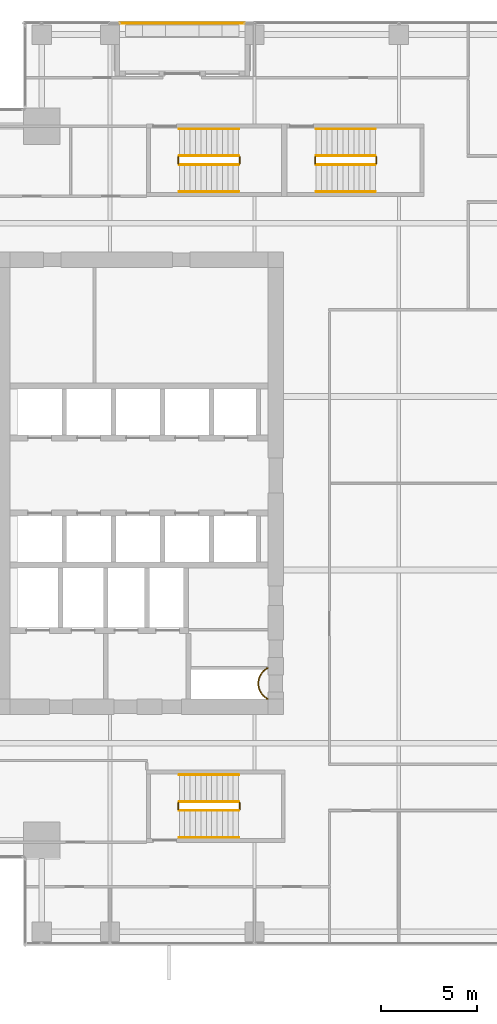
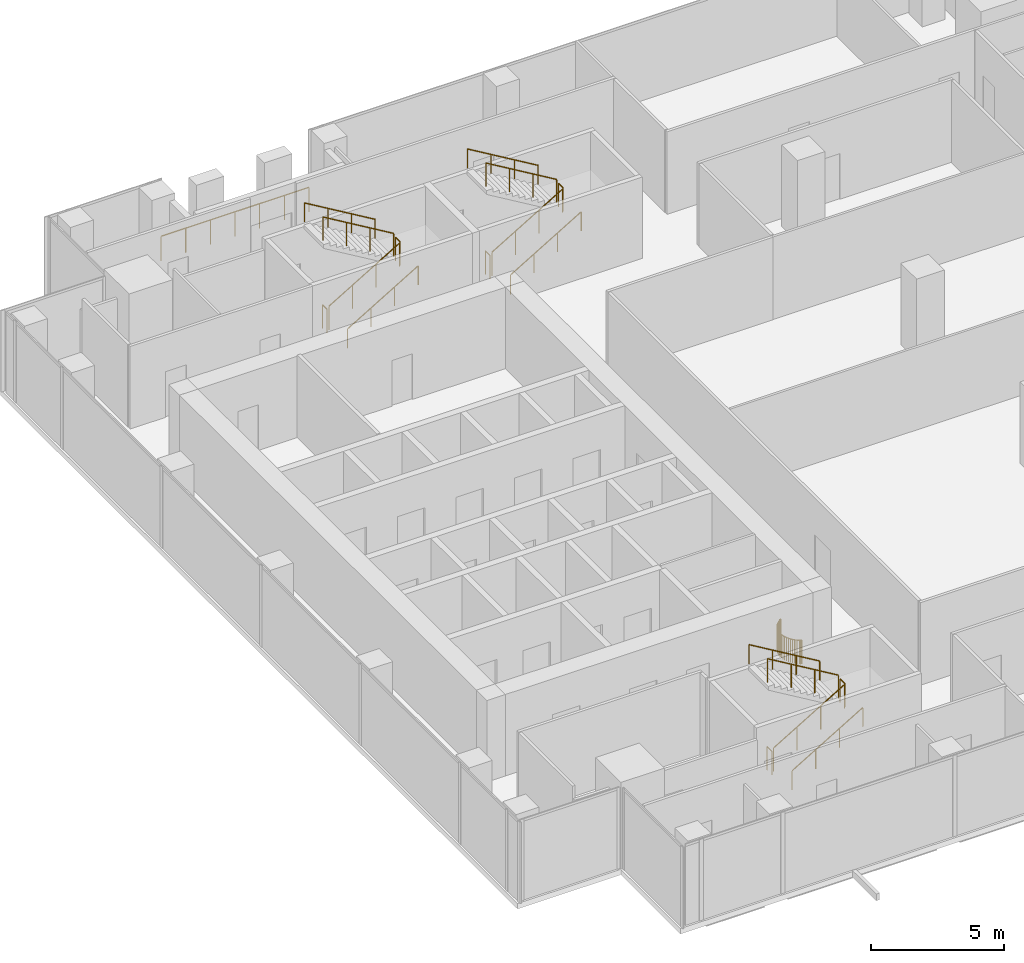
# One storey, part 38 of 40: 20 railings.
"""IFC4 building model written with IfcOpenShell, lengths in metres."""

from ifc_helpers import new_model, si_unit, direction, frame, origin, origin_2d, place, context, subcontext, project, spatial, circle, extrude, source, transform, mapped, material, type_object, element, save


model = new_model("IFC4")

# Units and contexts
model_context = context("Model", 3, precision=1e-05, world=origin(), true_north=direction((0.0, 1.0)))
body_context = subcontext(model_context, "Body", "Model", "MODEL_VIEW")
ifc_project = project(units=[si_unit("LENGTHUNIT", "METRE"), si_unit("AREAUNIT", "SQUARE_METRE"), si_unit("VOLUMEUNIT", "CUBIC_METRE"), si_unit("PLANEANGLEUNIT", "RADIAN"), si_unit("MASSUNIT", "GRAM", prefix="KILO")], contexts=[model_context])

# Site, building, storey
site_placement = place(None, origin())
site = spatial("IfcSite", under=ifc_project, at=site_placement, CompositionType="ELEMENT")
building_placement = place(site_placement, origin())
building = spatial("IfcBuilding", under=site, at=building_placement, Name="Khomas Fold Tower", CompositionType="ELEMENT")
storey_placement = place(building_placement, frame((0.0, 0.0, 192.699951171875)))
storey = spatial("IfcBuildingStorey", under=building, at=storey_placement, Name="L42", CompositionType="ELEMENT", Elevation=192.699951171875)

# Railings
ifc_material_1 = material(Name="Powder-coated steel", Category="steel")
railing_type_1 = type_object("IfcRailingType", Name="Balcony guard", PredefinedType="GUARDRAIL", material=ifc_material_1)
shared_shape_1 = source(origin(), body_context, "Body", "SweptSolid", [
    extrude(circle(Radius=0.02490234375, at=origin_2d()), frame((0.0, 0.0, 1.125), z_axis=(1.0, 0.0, 0.0), x_axis=(0.0, 1.0, 0.0)), (0.0, 0.0, 1.0), 6.43994140625),
    extrude(circle(Radius=0.02001953125, at=origin_2d()), origin(), (0.0, 0.0, 1.0), 1.099853515625),
    extrude(circle(Radius=0.02001953125, at=origin_2d()), frame((1.0732421875, 0.0, 0.0)), (0.0, 0.0, 1.0), 1.099853515625),
    extrude(circle(Radius=0.02001953125, at=origin_2d()), frame((2.146728515625, 0.0, 0.0)), (0.0, 0.0, 1.0), 1.099853515625),
    extrude(circle(Radius=0.02001953125, at=origin_2d()), frame((3.219970703125, 0.0, 0.0)), (0.0, 0.0, 1.0), 1.099853515625),
    extrude(circle(Radius=0.02001953125, at=origin_2d()), frame((4.293212890625, 0.0, 0.0)), (0.0, 0.0, 1.0), 1.099853515625),
    extrude(circle(Radius=0.02001953125, at=origin_2d()), frame((5.36669921875, 0.0, 0.0)), (0.0, 0.0, 1.0), 1.099853515625),
    extrude(circle(Radius=0.02001953125, at=origin_2d()), frame((6.43994140625, 0.0, 0.0)), (0.0, 0.0, 1.0), 1.099853515625),
])
railing_1_placement = place(storey_placement, frame((12.530029296875, 50.89990234375, -0.044921875)))
element("IfcRailing", 1, at=railing_1_placement, inside=storey, type_object=railing_type_1, Name="Balcony guard BAL-L42-N1", PredefinedType="GUARDRAIL", context=body_context, shape_type="MappedRepresentation", body=[
    mapped(shared_shape_1, transform((0.0, 0.0, 0.0))),
])
ifc_material_2 = material(Name="Steel balustrade", Category="steel")
railing_type_2 = type_object("IfcRailingType", Name="Stair guard", PredefinedType="GUARDRAIL", material=ifc_material_2)
shared_shape_2 = source(origin(), body_context, "Body", "SweptSolid", [
    extrude(circle(Radius=0.02392578125, at=origin_2d()), frame((0.0, 0.0, 1.076171875), z_axis=(0.0, 1.0, 0.0), x_axis=(-1.0, 0.0, 0.0)), (0.0, 0.0, 1.0), 0.349853515625),
    extrude(circle(Radius=0.02099609375, at=origin_2d()), origin(), (0.0, 0.0, 1.0), 1.052001953125),
    extrude(circle(Radius=0.02099609375, at=origin_2d()), frame((0.0, 0.349853515625, 0.0)), (0.0, 0.0, 1.0), 1.052001953125),
])
for number, where, name in (
    (2, (18.72998046875, 43.60009765625, 2.0), "L42 ST1 stair guard 2"),
    (3, (15.550048828125, 43.60009765625, 0.0), "L42 ST1 stair guard 4"),
    (4, (18.72998046875, 10.050048828125, 2.0), "L42 ST2 stair guard 2"),
    (5, (15.550048828125, 10.050048828125, 0.0), "L42 ST2 stair guard 4"),
    (6, (25.830078125, 43.60009765625, 2.0), "L42 ST3 stair guard 2"),
    (7, (22.64990234375, 43.60009765625, 0.0), "L42 ST3 stair guard 4"),
):
    element("IfcRailing", number, at=place(storey_placement, frame(where)), inside=storey, type_object=railing_type_2, Name=name, PredefinedType="GUARDRAIL", context=body_context, shape_type="MappedRepresentation", body=[
        mapped(shared_shape_2, transform((0.0, 0.0, 0.0))),
    ])
shared_shape_3 = source(origin(), body_context, "Body", "SweptSolid", [
    extrude(circle(Radius=0.02392578125, at=origin_2d()), frame((0.0, 0.0, 1.076171875), z_axis=(0.859290745958, 0.0, 0.51148745235), x_axis=(0.0, 1.0, 0.0)), (0.0, 0.0, 1.0), 3.584228515625),
    extrude(circle(Radius=0.02099609375, at=origin_2d()), origin(), (0.0, 0.0, 1.0), 1.052001953125),
    extrude(circle(Radius=0.02099609375, at=origin_2d()), frame((1.026611328125, 0.0, 0.611083984375)), (0.0, 0.0, 1.0), 1.052001953125),
    extrude(circle(Radius=0.02099609375, at=origin_2d()), frame((2.05322265625, 0.0, 1.22216796875)), (0.0, 0.0, 1.0), 1.052001953125),
    extrude(circle(Radius=0.02099609375, at=origin_2d()), frame((3.079833984375, 0.0, 1.833251953125)), (0.0, 0.0, 1.0), 1.052001953125),
])
for number, where, name in (
    (8, (15.60009765625, 43.550048828125, 0.166748046875), "L42 ST1 stair guard 1"),
    (9, (15.60009765625, 10.0, 0.166748046875), "L42 ST2 stair guard 1"),
):
    element("IfcRailing", number, at=place(storey_placement, frame(where)), inside=storey, type_object=railing_type_2, Name=name, PredefinedType="GUARDRAIL", context=body_context, shape_type="MappedRepresentation", body=[
        mapped(shared_shape_3, transform((0.0, 0.0, 0.0))),
    ])
shared_shape_4 = source(origin(), body_context, "Body", "SweptSolid", [
    extrude(circle(Radius=0.02392578125, at=origin_2d()), frame((0.0, 0.0, 1.076171875), z_axis=(-0.859290745958, 0.0, 0.51148745235), x_axis=(0.0, -1.0, 0.0)), (0.0, 0.0, 1.0), 3.584228515625),
    extrude(circle(Radius=0.02099609375, at=origin_2d()), origin(), (0.0, 0.0, 1.0), 1.052001953125),
    extrude(circle(Radius=0.02099609375, at=origin_2d()), frame((-1.026611328125, 0.0, 0.611083984375)), (0.0, 0.0, 1.0), 1.052001953125),
    extrude(circle(Radius=0.02099609375, at=origin_2d()), frame((-2.05322265625, 0.0, 1.22216796875)), (0.0, 0.0, 1.0), 1.052001953125),
    extrude(circle(Radius=0.02099609375, at=origin_2d()), frame((-3.079833984375, 0.0, 1.833251953125)), (0.0, 0.0, 1.0), 1.052001953125),
])
for number, where, name in (
    (10, (18.679931640625, 44.0, 2.166748046875), "L42 ST1 stair guard 3"),
    (11, (18.679931640625, 10.449951171875, 2.166748046875), "L42 ST2 stair guard 3"),
):
    element("IfcRailing", number, at=place(storey_placement, frame(where)), inside=storey, type_object=railing_type_2, Name=name, PredefinedType="GUARDRAIL", context=body_context, shape_type="MappedRepresentation", body=[
        mapped(shared_shape_4, transform((0.0, 0.0, 0.0))),
    ])
ifc_material_3 = material(Name="Steel handrail", Category="steel")
railing_type_3 = type_object("IfcRailingType", Name="Stair handrail", PredefinedType="HANDRAIL", material=ifc_material_3)
shared_shape_5 = source(origin(), body_context, "Body", "SweptSolid", [
    extrude(circle(Radius=0.02392578125, at=origin_2d()), frame((0.0, 0.0, 0.8759765625), z_axis=(0.859290745958, 0.0, 0.51148745235), x_axis=(0.0, 1.0, 0.0)), (0.0, 0.0, 1.0), 3.584228515625),
    extrude(circle(Radius=0.02099609375, at=origin_2d()), origin(), (0.0, 0.0, 1.0), 0.851806640625),
    extrude(circle(Radius=0.02099609375, at=origin_2d()), frame((1.026611328125, 0.0, 0.611083984375)), (0.0, 0.0, 1.0), 0.851806640625),
    extrude(circle(Radius=0.02099609375, at=origin_2d()), frame((2.05322265625, 0.0, 1.22216796875)), (0.0, 0.0, 1.0), 0.851806640625),
    extrude(circle(Radius=0.02099609375, at=origin_2d()), frame((3.079833984375, 0.0, 1.833251953125)), (0.0, 0.0, 1.0), 0.851806640625),
])
for number, where, name in (
    (12, (15.60009765625, 42.14990234375, 0.166748046875), "L42 ST1 stair handrail 1"),
    (13, (15.60009765625, 8.60009765625, 0.166748046875), "L42 ST2 stair handrail 1"),
):
    element("IfcRailing", number, at=place(storey_placement, frame(where)), inside=storey, type_object=railing_type_3, Name=name, PredefinedType="HANDRAIL", context=body_context, shape_type="MappedRepresentation", body=[
        mapped(shared_shape_5, transform((0.0, 0.0, 0.0))),
    ])
shared_shape_6 = source(origin(), body_context, "Body", "SweptSolid", [
    extrude(circle(Radius=0.02392578125, at=origin_2d()), frame((0.0, 0.0, 0.8759765625), z_axis=(-0.859290745958, 0.0, 0.51148745235), x_axis=(0.0, -1.0, 0.0)), (0.0, 0.0, 1.0), 3.584228515625),
    extrude(circle(Radius=0.02099609375, at=origin_2d()), origin(), (0.0, 0.0, 1.0), 0.851806640625),
    extrude(circle(Radius=0.02099609375, at=origin_2d()), frame((-1.026611328125, 0.0, 0.611083984375)), (0.0, 0.0, 1.0), 0.851806640625),
    extrude(circle(Radius=0.02099609375, at=origin_2d()), frame((-2.05322265625, 0.0, 1.22216796875)), (0.0, 0.0, 1.0), 0.851806640625),
    extrude(circle(Radius=0.02099609375, at=origin_2d()), frame((-3.079833984375, 0.0, 1.833251953125)), (0.0, 0.0, 1.0), 0.851806640625),
])
for number, where, name in (
    (14, (18.679931640625, 45.39990234375, 2.166748046875), "L42 ST1 stair handrail 2"),
    (15, (18.679931640625, 11.85009765625, 2.166748046875), "L42 ST2 stair handrail 2"),
):
    element("IfcRailing", number, at=place(storey_placement, frame(where)), inside=storey, type_object=railing_type_3, Name=name, PredefinedType="HANDRAIL", context=body_context, shape_type="MappedRepresentation", body=[
        mapped(shared_shape_6, transform((0.0, 0.0, 0.0))),
    ])
shared_shape_7 = source(origin(), body_context, "Body", "SweptSolid", [
    extrude(circle(Radius=0.02392578125, at=origin_2d()), frame((0.0, 0.0, 1.076171875), z_axis=(0.859308565015, 0.0, 0.511457515432), x_axis=(0.0, 1.0, 0.0)), (0.0, 0.0, 1.0), 3.58447265625),
    extrude(circle(Radius=0.02099609375, at=origin_2d()), origin(), (0.0, 0.0, 1.0), 1.052001953125),
    extrude(circle(Radius=0.02099609375, at=origin_2d()), frame((1.026611328125, 0.0, 0.611083984375)), (0.0, 0.0, 1.0), 1.052001953125),
    extrude(circle(Radius=0.02099609375, at=origin_2d()), frame((2.053466796875, 0.0, 1.22216796875)), (0.0, 0.0, 1.0), 1.052001953125),
    extrude(circle(Radius=0.02099609375, at=origin_2d()), frame((3.080078125, 0.0, 1.833251953125)), (0.0, 0.0, 1.0), 1.052001953125),
])
railing_2_placement = place(storey_placement, frame((22.699951171875, 43.550048828125, 0.166748046875)))
element("IfcRailing", 16, at=railing_2_placement, inside=storey, type_object=railing_type_2, Name="L42 ST3 stair guard 1", PredefinedType="GUARDRAIL", context=body_context, shape_type="MappedRepresentation", body=[
    mapped(shared_shape_7, transform((0.0, 0.0, 0.0))),
])
shared_shape_8 = source(origin(), body_context, "Body", "SweptSolid", [
    extrude(circle(Radius=0.02392578125, at=origin_2d()), frame((0.0, 0.0, 1.076171875), z_axis=(-0.859308565015, 0.0, 0.511457515432), x_axis=(0.0, -1.0, 0.0)), (0.0, 0.0, 1.0), 3.58447265625),
    extrude(circle(Radius=0.02099609375, at=origin_2d()), origin(), (0.0, 0.0, 1.0), 1.052001953125),
    extrude(circle(Radius=0.02099609375, at=origin_2d()), frame((-1.026611328125, 0.0, 0.611083984375)), (0.0, 0.0, 1.0), 1.052001953125),
    extrude(circle(Radius=0.02099609375, at=origin_2d()), frame((-2.053466796875, 0.0, 1.22216796875)), (0.0, 0.0, 1.0), 1.052001953125),
    extrude(circle(Radius=0.02099609375, at=origin_2d()), frame((-3.080078125, 0.0, 1.833251953125)), (0.0, 0.0, 1.0), 1.052001953125),
])
railing_3_placement = place(storey_placement, frame((25.780029296875, 44.0, 2.166748046875)))
element("IfcRailing", 17, at=railing_3_placement, inside=storey, type_object=railing_type_2, Name="L42 ST3 stair guard 3", PredefinedType="GUARDRAIL", context=body_context, shape_type="MappedRepresentation", body=[
    mapped(shared_shape_8, transform((0.0, 0.0, 0.0))),
])
shared_shape_9 = source(origin(), body_context, "Body", "SweptSolid", [
    extrude(circle(Radius=0.02392578125, at=origin_2d()), frame((0.0, 0.0, 0.8759765625), z_axis=(0.859308565015, 0.0, 0.511457515432), x_axis=(0.0, 1.0, 0.0)), (0.0, 0.0, 1.0), 3.58447265625),
    extrude(circle(Radius=0.02099609375, at=origin_2d()), origin(), (0.0, 0.0, 1.0), 0.851806640625),
    extrude(circle(Radius=0.02099609375, at=origin_2d()), frame((1.026611328125, 0.0, 0.611083984375)), (0.0, 0.0, 1.0), 0.851806640625),
    extrude(circle(Radius=0.02099609375, at=origin_2d()), frame((2.053466796875, 0.0, 1.22216796875)), (0.0, 0.0, 1.0), 0.851806640625),
    extrude(circle(Radius=0.02099609375, at=origin_2d()), frame((3.080078125, 0.0, 1.833251953125)), (0.0, 0.0, 1.0), 0.851806640625),
])
railing_4_placement = place(storey_placement, frame((22.699951171875, 42.14990234375, 0.166748046875)))
element("IfcRailing", 18, at=railing_4_placement, inside=storey, type_object=railing_type_3, Name="L42 ST3 stair handrail 1", PredefinedType="HANDRAIL", context=body_context, shape_type="MappedRepresentation", body=[
    mapped(shared_shape_9, transform((0.0, 0.0, 0.0))),
])
shared_shape_10 = source(origin(), body_context, "Body", "SweptSolid", [
    extrude(circle(Radius=0.02392578125, at=origin_2d()), frame((0.0, 0.0, 0.8759765625), z_axis=(-0.859308565015, 0.0, 0.511457515432), x_axis=(0.0, -1.0, 0.0)), (0.0, 0.0, 1.0), 3.58447265625),
    extrude(circle(Radius=0.02099609375, at=origin_2d()), origin(), (0.0, 0.0, 1.0), 0.851806640625),
    extrude(circle(Radius=0.02099609375, at=origin_2d()), frame((-1.026611328125, 0.0, 0.611083984375)), (0.0, 0.0, 1.0), 0.851806640625),
    extrude(circle(Radius=0.02099609375, at=origin_2d()), frame((-2.053466796875, 0.0, 1.22216796875)), (0.0, 0.0, 1.0), 0.851806640625),
    extrude(circle(Radius=0.02099609375, at=origin_2d()), frame((-3.080078125, 0.0, 1.833251953125)), (0.0, 0.0, 1.0), 0.851806640625),
])
railing_5_placement = place(storey_placement, frame((25.780029296875, 45.39990234375, 2.166748046875)))
element("IfcRailing", 19, at=railing_5_placement, inside=storey, type_object=railing_type_3, Name="L42 ST3 stair handrail 2", PredefinedType="HANDRAIL", context=body_context, shape_type="MappedRepresentation", body=[
    mapped(shared_shape_10, transform((0.0, 0.0, 0.0))),
])
ifc_material_4 = material(Name="Steel balustrade", Category="steel")
railing_type_4 = type_object("IfcRailingType", Name="Shaft guard", PredefinedType="GUARDRAIL", material=ifc_material_4)
shared_shape_11 = source(origin(), body_context, "Body", "SweptSolid", [
    extrude(circle(Radius=0.02490234375, at=origin_2d()), frame((0.0, 0.0, 1.0751953125), z_axis=(1.0, 0.0, 0.0), x_axis=(0.0, 1.0, 0.0)), (0.0, 0.0, 1.0), 0.06103515625),
    extrude(circle(Radius=0.02490234375, at=origin_2d()), frame((0.06103515625, 0.0, 1.0751953125), z_axis=(-0.90746690712, -0.420123568111, 0.0), x_axis=(0.420123568111, -0.90746690712, 0.0)), (0.0, 0.0, 1.0), 0.0146484375),
    extrude(circle(Radius=0.02490234375, at=origin_2d()), frame((0.0478515625, -0.006103515625, 1.0751953125), z_axis=(-0.857492925713, -0.514495755428, 0.0), x_axis=(0.514495755428, -0.857492925713, 0.0)), (0.0, 0.0, 1.0), 0.08837890625),
    extrude(circle(Radius=0.02490234375, at=origin_2d()), frame((-0.02783203125, -0.051513671875, 1.0751953125), z_axis=(-0.802970227885, -0.596019138224, 0.0), x_axis=(0.596019138224, -0.802970227885, 0.0)), (0.0, 0.0, 1.0), 0.08837890625),
    extrude(circle(Radius=0.02490234375, at=origin_2d()), frame((-0.098876953125, -0.104248046875, 1.0751953125), z_axis=(-0.740814996175, -0.671709119666, 0.0), x_axis=(0.671709119666, -0.740814996175, 0.0)), (0.0, 0.0, 1.0), 0.08837890625),
    extrude(circle(Radius=0.02490234375, at=origin_2d()), frame((-0.164306640625, -0.16357421875, 1.0751953125), z_axis=(-0.671709119666, -0.740814996175, 0.0), x_axis=(0.740814996175, -0.671709119666, 0.0)), (0.0, 0.0, 1.0), 0.08837890625),
    extrude(circle(Radius=0.02490234375, at=origin_2d()), frame((-0.2236328125, -0.22900390625, 1.0751953125), z_axis=(-0.595558727233, -0.803311771616, 0.0), x_axis=(0.803311771616, -0.595558727233, 0.0)), (0.0, 0.0, 1.0), 0.088134765625),
    extrude(circle(Radius=0.02490234375, at=origin_2d()), frame((-0.276123046875, -0.2998046875, 1.0751953125), z_axis=(-0.514495755428, -0.857492925713, 0.0), x_axis=(0.857492925713, -0.514495755428, 0.0)), (0.0, 0.0, 1.0), 0.08837890625),
    extrude(circle(Radius=0.02490234375, at=origin_2d()), frame((-0.321533203125, -0.37548828125, 1.0751953125), z_axis=(-0.427256721383, -0.904130352346, 0.0), x_axis=(0.904130352346, -0.427256721383, 0.0)), (0.0, 0.0, 1.0), 0.088623046875),
    extrude(circle(Radius=0.02490234375, at=origin_2d()), frame((-0.359375, -0.45556640625, 1.0751953125), z_axis=(-0.337738989679, -0.941239807302, 0.0), x_axis=(0.941239807302, -0.337738989679, 0.0)), (0.0, 0.0, 1.0), 0.088134765625),
    extrude(circle(Radius=0.02490234375, at=origin_2d()), frame((-0.38916015625, -0.53857421875, 1.0751953125), z_axis=(-0.243185799972, -0.969979724887, 0.0), x_axis=(0.969979724887, -0.243185799972, 0.0)), (0.0, 0.0, 1.0), 0.08837890625),
    extrude(circle(Radius=0.02490234375, at=origin_2d()), frame((-0.41064453125, -0.624267578125, 1.0751953125), z_axis=(-0.146448518259, -0.989218293148, 0.0), x_axis=(0.989218293148, -0.146448518259, 0.0)), (0.0, 0.0, 1.0), 0.08837890625),
    extrude(circle(Radius=0.02490234375, at=origin_2d()), frame((-0.423583984375, -0.711669921875, 1.0751953125), z_axis=(-0.049799629132, -0.998759228712, 0.0), x_axis=(0.998759228712, -0.049799629132, 0.0)), (0.0, 0.0, 1.0), 0.088134765625),
    extrude(circle(Radius=0.02490234375, at=origin_2d()), frame((-0.427978515625, -0.7998046875, 1.0751953125), z_axis=(0.049662400856, -0.998766061669, 0.0), x_axis=(0.998766061669, 0.049662400856, 0.0)), (0.0, 0.0, 1.0), 0.08837890625),
    extrude(circle(Radius=0.02490234375, at=origin_2d()), frame((-0.423583984375, -0.88818359375, 1.0751953125), z_axis=(0.146448518259, -0.989218293148, 0.0), x_axis=(0.989218293148, 0.146448518259, 0.0)), (0.0, 0.0, 1.0), 0.08837890625),
    extrude(circle(Radius=0.02490234375, at=origin_2d()), frame((-0.41064453125, -0.9755859375, 1.0751953125), z_axis=(0.243185799972, -0.969979724887, 0.0), x_axis=(0.969979724887, 0.243185799972, 0.0)), (0.0, 0.0, 1.0), 0.08837890625),
    extrude(circle(Radius=0.02490234375, at=origin_2d()), frame((-0.38916015625, -1.061279296875, 1.0751953125), z_axis=(0.337738989679, -0.941239807302, 0.0), x_axis=(0.941239807302, 0.337738989679, 0.0)), (0.0, 0.0, 1.0), 0.088134765625),
    extrude(circle(Radius=0.02490234375, at=origin_2d()), frame((-0.359375, -1.144287109375, 1.0751953125), z_axis=(0.428323905606, -0.903625271828, 0.0), x_axis=(0.903625271828, 0.428323905606, 0.0)), (0.0, 0.0, 1.0), 0.08837890625),
    extrude(circle(Radius=0.02490234375, at=origin_2d()), frame((-0.321533203125, -1.22412109375, 1.0751953125), z_axis=(0.514495755428, -0.857492925713, 0.0), x_axis=(0.857492925713, 0.514495755428, 0.0)), (0.0, 0.0, 1.0), 0.08837890625),
    extrude(circle(Radius=0.02490234375, at=origin_2d()), frame((-0.276123046875, -1.2998046875, 1.0751953125), z_axis=(0.594235623595, -0.804291006819, 0.0), x_axis=(0.804291006819, 0.594235623595, 0.0)), (0.0, 0.0, 1.0), 0.08837890625),
    extrude(circle(Radius=0.02490234375, at=origin_2d()), frame((-0.2236328125, -1.370849609375, 1.0751953125), z_axis=(0.671709119666, -0.740814996175, 0.0), x_axis=(0.740814996175, 0.671709119666, 0.0)), (0.0, 0.0, 1.0), 0.08837890625),
    extrude(circle(Radius=0.02490234375, at=origin_2d()), frame((-0.164306640625, -1.436279296875, 1.0751953125), z_axis=(0.740814996175, -0.671709119666, 0.0), x_axis=(0.671709119666, 0.740814996175, 0.0)), (0.0, 0.0, 1.0), 0.08837890625),
    extrude(circle(Radius=0.02490234375, at=origin_2d()), frame((-0.098876953125, -1.49560546875, 1.0751953125), z_axis=(0.804291006819, -0.594235623595, 0.0), x_axis=(0.594235623595, 0.804291006819, 0.0)), (0.0, 0.0, 1.0), 0.08837890625),
    extrude(circle(Radius=0.02490234375, at=origin_2d()), frame((-0.02783203125, -1.548095703125, 1.0751953125), z_axis=(0.857492925713, -0.514495755428, 0.0), x_axis=(0.514495755428, 0.857492925713, 0.0)), (0.0, 0.0, 1.0), 0.08837890625),
    extrude(circle(Radius=0.02490234375, at=origin_2d()), frame((0.0478515625, -1.593505859375, 1.0751953125), z_axis=(0.901001669759, -0.433815618773, 0.0), x_axis=(0.433815618773, 0.901001669759, 0.0)), (0.0, 0.0, 1.0), 0.0146484375),
    extrude(circle(Radius=0.02490234375, at=origin_2d()), frame((0.06103515625, -1.599853515625, 1.0751953125), z_axis=(-1.0, 0.0, 0.0), x_axis=(0.0, -1.0, 0.0)), (0.0, 0.0, 1.0), 0.06103515625),
    extrude(circle(Radius=0.02001953125, at=origin_2d()), origin(), (0.0, 0.0, 1.0), 1.050048828125),
    extrude(circle(Radius=0.02001953125, at=origin_2d()), frame((0.06103515625, 0.0, 0.0)), (0.0, 0.0, 1.0), 1.050048828125),
    extrude(circle(Radius=0.02001953125, at=origin_2d()), frame((0.0478515625, -0.006103515625, 0.0)), (0.0, 0.0, 1.0), 1.050048828125),
    extrude(circle(Radius=0.02001953125, at=origin_2d()), frame((-0.02783203125, -0.051513671875, 0.0)), (0.0, 0.0, 1.0), 1.050048828125),
    extrude(circle(Radius=0.02001953125, at=origin_2d()), frame((-0.098876953125, -0.104248046875, 0.0)), (0.0, 0.0, 1.0), 1.050048828125),
    extrude(circle(Radius=0.02001953125, at=origin_2d()), frame((-0.164306640625, -0.16357421875, 0.0)), (0.0, 0.0, 1.0), 1.050048828125),
    extrude(circle(Radius=0.02001953125, at=origin_2d()), frame((-0.2236328125, -0.22900390625, 0.0)), (0.0, 0.0, 1.0), 1.050048828125),
    extrude(circle(Radius=0.02001953125, at=origin_2d()), frame((-0.276123046875, -0.2998046875, 0.0)), (0.0, 0.0, 1.0), 1.050048828125),
    extrude(circle(Radius=0.02001953125, at=origin_2d()), frame((-0.321533203125, -0.37548828125, 0.0)), (0.0, 0.0, 1.0), 1.050048828125),
    extrude(circle(Radius=0.02001953125, at=origin_2d()), frame((-0.359375, -0.45556640625, 0.0)), (0.0, 0.0, 1.0), 1.050048828125),
    extrude(circle(Radius=0.02001953125, at=origin_2d()), frame((-0.38916015625, -0.53857421875, 0.0)), (0.0, 0.0, 1.0), 1.050048828125),
    extrude(circle(Radius=0.02001953125, at=origin_2d()), frame((-0.41064453125, -0.624267578125, 0.0)), (0.0, 0.0, 1.0), 1.050048828125),
    extrude(circle(Radius=0.02001953125, at=origin_2d()), frame((-0.423583984375, -0.711669921875, 0.0)), (0.0, 0.0, 1.0), 1.050048828125),
    extrude(circle(Radius=0.02001953125, at=origin_2d()), frame((-0.427978515625, -0.7998046875, 0.0)), (0.0, 0.0, 1.0), 1.050048828125),
    extrude(circle(Radius=0.02001953125, at=origin_2d()), frame((-0.423583984375, -0.88818359375, 0.0)), (0.0, 0.0, 1.0), 1.050048828125),
    extrude(circle(Radius=0.02001953125, at=origin_2d()), frame((-0.41064453125, -0.9755859375, 0.0)), (0.0, 0.0, 1.0), 1.050048828125),
    extrude(circle(Radius=0.02001953125, at=origin_2d()), frame((-0.38916015625, -1.061279296875, 0.0)), (0.0, 0.0, 1.0), 1.050048828125),
    extrude(circle(Radius=0.02001953125, at=origin_2d()), frame((-0.359375, -1.144287109375, 0.0)), (0.0, 0.0, 1.0), 1.050048828125),
    extrude(circle(Radius=0.02001953125, at=origin_2d()), frame((-0.321533203125, -1.22412109375, 0.0)), (0.0, 0.0, 1.0), 1.050048828125),
    extrude(circle(Radius=0.02001953125, at=origin_2d()), frame((-0.276123046875, -1.2998046875, 0.0)), (0.0, 0.0, 1.0), 1.050048828125),
    extrude(circle(Radius=0.02001953125, at=origin_2d()), frame((-0.2236328125, -1.370849609375, 0.0)), (0.0, 0.0, 1.0), 1.050048828125),
    extrude(circle(Radius=0.02001953125, at=origin_2d()), frame((-0.164306640625, -1.436279296875, 0.0)), (0.0, 0.0, 1.0), 1.050048828125),
    extrude(circle(Radius=0.02001953125, at=origin_2d()), frame((-0.098876953125, -1.49560546875, 0.0)), (0.0, 0.0, 1.0), 1.050048828125),
    extrude(circle(Radius=0.02001953125, at=origin_2d()), frame((-0.02783203125, -1.548095703125, 0.0)), (0.0, 0.0, 1.0), 1.050048828125),
    extrude(circle(Radius=0.02001953125, at=origin_2d()), frame((0.0478515625, -1.593505859375, 0.0)), (0.0, 0.0, 1.0), 1.050048828125),
    extrude(circle(Radius=0.02001953125, at=origin_2d()), frame((0.06103515625, -1.599853515625, 0.0)), (0.0, 0.0, 1.0), 1.050048828125),
    extrude(circle(Radius=0.02001953125, at=origin_2d()), frame((0.0, -1.599853515625, 0.0)), (0.0, 0.0, 1.0), 1.050048828125),
])
railing_6_placement = place(storey_placement, frame((20.1279296875, 17.39990234375, 0.0)))
element("IfcRailing", 20, at=railing_6_placement, inside=storey, type_object=railing_type_4, Name="Shaft guard L42 1", PredefinedType="GUARDRAIL", context=body_context, shape_type="MappedRepresentation", body=[
    mapped(shared_shape_11, transform((0.0, 0.0, 0.0))),
])

save(model, "model.ifc")
